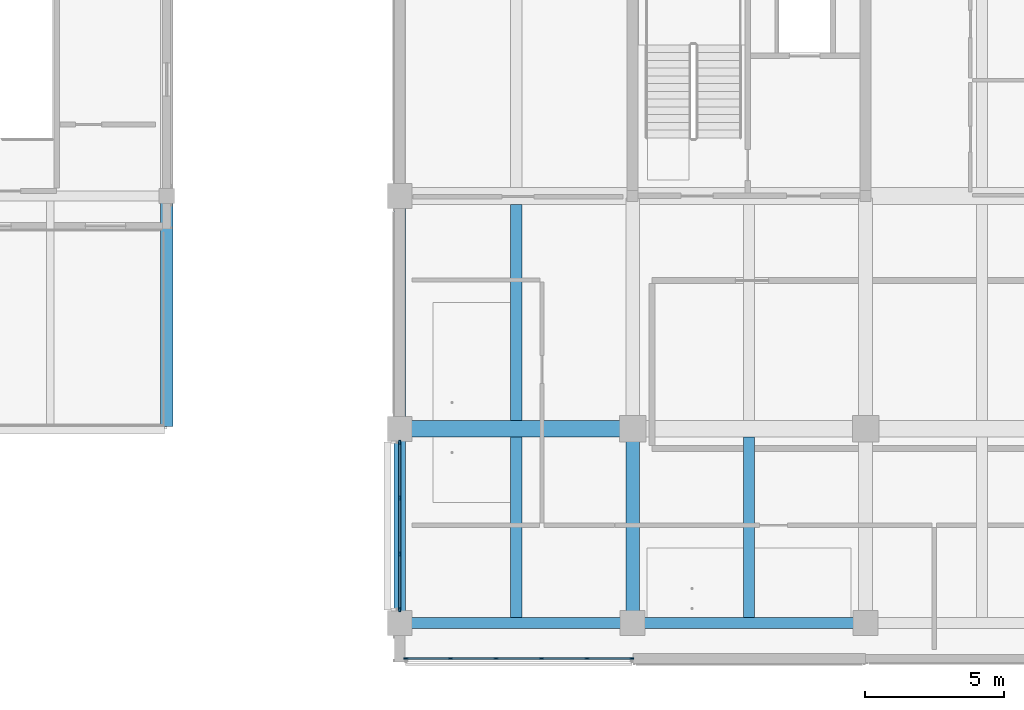
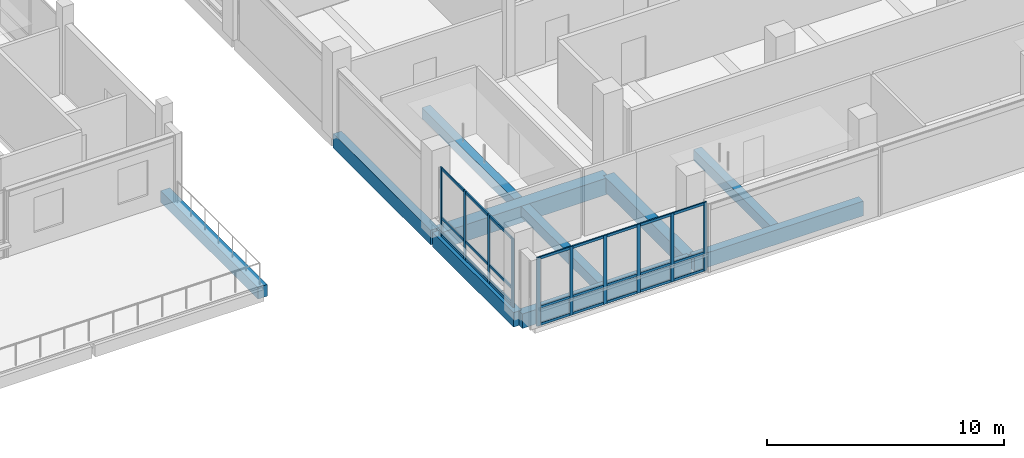
# One storey, part 5 of 59: 34 members, 10 beams, 2 elements without a shape of their own.
"""IFC4 building model written with IfcOpenShell, lengths in metres."""

from ifc_helpers import new_model, si_unit, direction, frame, origin, origin_2d, place, context, subcontext, project, spatial, rectangle, extrude, material, layer, layer_set, material_profile, profile_set, type_object, element, aggregate, save


model = new_model("IFC4")

# Units and contexts
model_context = context("Model", 3, precision=1e-05, world=origin(), true_north=direction((0.0, 1.0)))
body_context = subcontext(model_context, "Body", "Model", "MODEL_VIEW")
ifc_project = project(units=[si_unit("LENGTHUNIT", "METRE"), si_unit("AREAUNIT", "SQUARE_METRE"), si_unit("VOLUMEUNIT", "CUBIC_METRE"), si_unit("PLANEANGLEUNIT", "RADIAN"), si_unit("MASSUNIT", "GRAM", prefix="KILO")], contexts=[model_context])

# Site, building, storey
site_placement = place(None, origin())
site = spatial("IfcSite", under=ifc_project, at=site_placement, CompositionType="ELEMENT")
building_placement = place(site_placement, origin())
building = spatial("IfcBuilding", under=site, at=building_placement, Name="Telukmera Botanical Conservatory", CompositionType="ELEMENT")
storey_placement = place(building_placement, frame((0.0, 0.0, 15.0)))
storey = spatial("IfcBuildingStorey", under=building, at=storey_placement, Name="L03", CompositionType="ELEMENT", Elevation=15.0)

# Beams
ifc_material_1 = material(Name="Concrete C40/50", Category="concrete")
ifc_material_profile_1 = material_profile(ifc_material_1, rectangle(XDim=0.60009765625, YDim=0.85009765625, at=origin_2d()), Name="RC 600x850")
ifc_profile_set_1 = profile_set([ifc_material_profile_1], Name="Concrete C40/50")
beam_type_1 = type_object("IfcBeamType", Name="Beam_B11", PredefinedType="BEAM", material=ifc_profile_set_1)
beam_1_placement = place(storey_placement, frame((50.47998046875, 17.60009765625, -0.425048828125), z_axis=(1.0, 0.0, 0.0), x_axis=(0.0, 1.0, 0.0)))
element("IfcBeam", 1, at=beam_1_placement, inside=storey, type_object=beam_type_1, Name="Tower Grid Beam L03", PredefinedType="BEAM", context=body_context, shape_type="SweptSolid", body=[
    extrude(rectangle(XDim=0.60009765625, YDim=0.85009765625, at=origin_2d()), origin(), (0.0, 0.0, 1.0), 8.239990234375),
])
ifc_material_profile_2 = material_profile(ifc_material_1, rectangle(XDim=0.5, YDim=0.75, at=origin_2d()), Name="RC 500x750")
ifc_profile_set_2 = profile_set([ifc_material_profile_2], Name="Concrete C40/50")
beam_type_2 = type_object("IfcBeamType", Name="Beam_B13", PredefinedType="BEAM", material=ifc_profile_set_2)
beam_2_placement = place(storey_placement, frame((58.800048828125, 10.679931640625, -0.375), z_axis=(0.0, 1.0, 0.0), x_axis=(-1.0, 0.0, 0.0)))
element("IfcBeam", 2, at=beam_2_placement, inside=storey, type_object=beam_type_2, Name="Tower Transverse Beam L03", PredefinedType="BEAM", context=body_context, shape_type="SweptSolid", body=[
    extrude(rectangle(XDim=0.5, YDim=0.75, at=origin_2d()), origin(), (0.0, 0.0, 1.0), 6.840087890625),
])
ifc_material_profile_3 = material_profile(ifc_material_1, rectangle(XDim=0.449951171875, YDim=0.60009765625, at=origin_2d()), Name="RC 450x600")
ifc_profile_set_3 = profile_set([ifc_material_profile_3], Name="Concrete C40/50")
beam_type_3 = type_object("IfcBeamType", Name="Beam_B17", PredefinedType="BEAM", material=ifc_profile_set_3)
beam_3_placement = place(storey_placement, frame((42.0, 17.679931640625, -0.300048828125), z_axis=(0.0, 1.0, 0.0), x_axis=(-1.0, 0.0, 0.0)))
element("IfcBeam", 3, at=beam_3_placement, inside=storey, type_object=beam_type_3, Name="Visitor Wing Transverse Beam L03", PredefinedType="BEAM", context=body_context, shape_type="SweptSolid", body=[
    extrude(rectangle(XDim=0.449951171875, YDim=0.60009765625, at=origin_2d()), origin(), (0.0, 0.0, 1.0), 8.239990234375),
])
ifc_material_profile_4 = material_profile(ifc_material_1, rectangle(XDim=0.39990234375, YDim=0.550048828125, at=origin_2d()), Name="RC 400x550")
ifc_profile_set_4 = profile_set([ifc_material_profile_4], Name="Concrete C40/50")
beam_type_4 = type_object("IfcBeamType", Name="Beam_B19", PredefinedType="JOIST", material=ifc_profile_set_4)
beam_4_placement = place(storey_placement, frame((54.60009765625, 10.800048828125, -0.27490234375), z_axis=(0.0, 1.0, 0.0), x_axis=(-1.0, 0.0, 0.0)))
element("IfcBeam", 4, at=beam_4_placement, inside=storey, type_object=beam_type_4, Name="Tower Secondary Floor Joist L03", PredefinedType="JOIST", context=body_context, shape_type="SweptSolid", body=[
    extrude(rectangle(XDim=0.39990234375, YDim=0.550048828125, at=origin_2d()), origin(), (0.0, 0.0, 1.0), 6.5),
])
beam_5_placement = place(storey_placement, frame((54.60009765625, 17.89990234375, -0.27490234375), z_axis=(0.0, 1.0, 0.0), x_axis=(-1.0, 0.0, 0.0)))
element("IfcBeam", 5, at=beam_5_placement, inside=storey, type_object=beam_type_4, Name="Tower Secondary Floor Joist L03", PredefinedType="JOIST", context=body_context, shape_type="SweptSolid", body=[
    extrude(rectangle(XDim=0.39990234375, YDim=0.550048828125, at=origin_2d()), origin(), (0.0, 0.0, 1.0), 7.800048828125),
])
beam_6_placement = place(storey_placement, frame((63.0, 10.800048828125, -0.27490234375), z_axis=(0.0, 1.0, 0.0), x_axis=(-1.0, 0.0, 0.0)))
element("IfcBeam", 6, at=beam_6_placement, inside=storey, type_object=beam_type_4, Name="Tower Secondary Floor Joist L03", PredefinedType="JOIST", context=body_context, shape_type="SweptSolid", body=[
    extrude(rectangle(XDim=0.39990234375, YDim=0.550048828125, at=origin_2d()), origin(), (0.0, 0.0, 1.0), 6.5),
])
ifc_material_2 = material(Name="Precast concrete C40/50", Category="concrete")
ifc_material_profile_5 = material_profile(ifc_material_2, rectangle(XDim=0.39990234375, YDim=0.75, at=origin_2d()), Name="PC 400x750")
ifc_profile_set_5 = profile_set([ifc_material_profile_5], Name="Precast concrete C40/50")
beam_type_5 = type_object("IfcBeamType", Name="Beam_SP1", PredefinedType="SPANDREL", material=ifc_profile_set_5)
beam_7_placement = place(storey_placement, frame((50.47998046875, 10.60009765625, -0.375), z_axis=(1.0, 0.0, 0.0), x_axis=(0.0, 1.0, 0.0)))
element("IfcBeam", 7, at=beam_7_placement, inside=storey, type_object=beam_type_5, Name="Tower Grid Beam L03", PredefinedType="SPANDREL", context=body_context, shape_type="SweptSolid", body=[
    extrude(rectangle(XDim=0.39990234375, YDim=0.75, at=origin_2d()), origin(), (0.0, 0.0, 1.0), 8.239990234375),
])
beam_8_placement = place(storey_placement, frame((58.8798828125, 10.60009765625, -0.375), z_axis=(1.0, 0.0, 0.0), x_axis=(0.0, 1.0, 0.0)))
element("IfcBeam", 8, at=beam_8_placement, inside=storey, type_object=beam_type_5, Name="Tower Grid Beam L03", PredefinedType="SPANDREL", context=body_context, shape_type="SweptSolid", body=[
    extrude(rectangle(XDim=0.39990234375, YDim=0.75, at=origin_2d()), origin(), (0.0, 0.0, 1.0), 8.240234375),
])
beam_9_placement = place(storey_placement, frame((50.39990234375, 10.679931640625, -0.375), z_axis=(0.0, 1.0, 0.0), x_axis=(-1.0, 0.0, 0.0)))
element("IfcBeam", 9, at=beam_9_placement, inside=storey, type_object=beam_type_5, Name="Tower Transverse Beam L03", PredefinedType="SPANDREL", context=body_context, shape_type="SweptSolid", body=[
    extrude(rectangle(XDim=0.39990234375, YDim=0.75, at=origin_2d()), origin(), (0.0, 0.0, 1.0), 6.840087890625),
])
beam_10_placement = place(storey_placement, frame((50.39990234375, 17.679931640625, -0.375), z_axis=(0.0, 1.0, 0.0), x_axis=(-1.0, 0.0, 0.0)))
element("IfcBeam", 10, at=beam_10_placement, inside=storey, type_object=beam_type_5, Name="Tower Transverse Beam L03", PredefinedType="SPANDREL", context=body_context, shape_type="SweptSolid", body=[
    extrude(rectangle(XDim=0.39990234375, YDim=0.75, at=origin_2d()), origin(), (0.0, 0.0, 1.0), 8.239990234375),
])

# Curtain wall, members
ifc_material_3 = material(Name="Anodised aluminium 6063-T6", Category="aluminium")
ifc_layer = layer(ifc_material_3, 0.179931640625)
ifc_layer_set = layer_set([ifc_layer], Name="Anodised aluminium 6063-T6")
curtain_wall_type = type_object("IfcCurtainWallType", Name="Tower Herbarium Curation Corner Curtain Wall", PredefinedType="USERDEFINED", material=ifc_layer_set)
curtain_wall_1_placement = place(storey_placement, origin())
curtain_wall_1 = element("IfcCurtainWall", 11, at=curtain_wall_1_placement, inside=storey, type_object=curtain_wall_type, Name="Unitised Curtain Wall CW14 V4:L03:S1", ObjectType="UNITISED CURTAIN WALL", PredefinedType="USERDEFINED")
ifc_material_profile_6 = material_profile(ifc_material_3, rectangle(XDim=0.06494140625, YDim=0.159912109375, at=origin_2d()), Name="ALU MULL 65x160")
ifc_profile_set_6 = profile_set([ifc_material_profile_6], Name="Anodised aluminium 6063-T6")
member_type_1 = type_object("IfcMemberType", Name="Curtain Wall Extruded Mullion 65x160", PredefinedType="MULLION", material=ifc_profile_set_6)
member_1_placement = place(storey_placement, frame((50.62451171875, 9.320068359375, 0.0), z_axis=(0.0, 0.0, 1.0), x_axis=(0.0, 1.0, 0.0)))
member_1 = element("IfcMember", 12, at=member_1_placement, type_object=member_type_1, Name="CW14 mullion 1", PredefinedType="MULLION", context=body_context, shape_type="SweptSolid", body=[
    extrude(rectangle(XDim=0.06494140625, YDim=0.159912109375, at=origin_2d()), origin(), (0.0, 0.0, 1.0), 3.550048828125),
])
member_2_placement = place(storey_placement, frame((52.233154296875, 9.320068359375, 0.0), z_axis=(0.0, 0.0, 1.0), x_axis=(0.0, 1.0, 0.0)))
member_2 = element("IfcMember", 13, at=member_2_placement, type_object=member_type_1, Name="CW14 mullion 2", PredefinedType="MULLION", context=body_context, shape_type="SweptSolid", body=[
    extrude(rectangle(XDim=0.06494140625, YDim=0.159912109375, at=origin_2d()), origin(), (0.0, 0.0, 1.0), 3.550048828125),
])
member_3_placement = place(storey_placement, frame((53.87451171875, 9.320068359375, 0.0), z_axis=(0.0, 0.0, 1.0), x_axis=(0.0, 1.0, 0.0)))
member_3 = element("IfcMember", 14, at=member_3_placement, type_object=member_type_1, Name="CW14 mullion 3", PredefinedType="MULLION", context=body_context, shape_type="SweptSolid", body=[
    extrude(rectangle(XDim=0.06494140625, YDim=0.159912109375, at=origin_2d()), origin(), (0.0, 0.0, 1.0), 3.550048828125),
])
member_4_placement = place(storey_placement, frame((55.515625, 9.320068359375, 0.0), z_axis=(0.0, 0.0, 1.0), x_axis=(0.0, 1.0, 0.0)))
member_4 = element("IfcMember", 15, at=member_4_placement, type_object=member_type_1, Name="CW14 mullion 4", PredefinedType="MULLION", context=body_context, shape_type="SweptSolid", body=[
    extrude(rectangle(XDim=0.06494140625, YDim=0.159912109375, at=origin_2d()), origin(), (0.0, 0.0, 1.0), 3.550048828125),
])
member_5_placement = place(storey_placement, frame((57.15673828125, 9.320068359375, 0.0), z_axis=(0.0, 0.0, 1.0), x_axis=(0.0, 1.0, 0.0)))
member_5 = element("IfcMember", 16, at=member_5_placement, type_object=member_type_1, Name="CW14 mullion 5", PredefinedType="MULLION", context=body_context, shape_type="SweptSolid", body=[
    extrude(rectangle(XDim=0.06494140625, YDim=0.159912109375, at=origin_2d()), origin(), (0.0, 0.0, 1.0), 3.550048828125),
])
member_6_placement = place(storey_placement, frame((58.765380859375, 9.320068359375, 0.0), z_axis=(0.0, 0.0, 1.0), x_axis=(0.0, 1.0, 0.0)))
member_6 = element("IfcMember", 17, at=member_6_placement, type_object=member_type_1, Name="CW14 mullion 6", PredefinedType="MULLION", context=body_context, shape_type="SweptSolid", body=[
    extrude(rectangle(XDim=0.06494140625, YDim=0.159912109375, at=origin_2d()), origin(), (0.0, 0.0, 1.0), 3.550048828125),
])

curtain_wall_2_placement = place(storey_placement, origin())
curtain_wall_2 = element("IfcCurtainWall", 18, at=curtain_wall_2_placement, inside=storey, type_object=curtain_wall_type, Name="Unitised Curtain Wall CW14 V4:L03:W1", ObjectType="UNITISED CURTAIN WALL", PredefinedType="USERDEFINED")
member_7_placement = place(storey_placement, frame((50.39990234375, 11.08447265625, 0.0), z_axis=(0.0, 0.0, 1.0), x_axis=(-1.0, 0.0, 0.0)))
member_7 = element("IfcMember", 19, at=member_7_placement, type_object=member_type_1, Name="CW14 mullion 1", PredefinedType="MULLION", context=body_context, shape_type="SweptSolid", body=[
    extrude(rectangle(XDim=0.06494140625, YDim=0.159912109375, at=origin_2d()), origin(), (0.0, 0.0, 1.0), 3.550048828125),
])
member_8_placement = place(storey_placement, frame((50.39990234375, 13.083984375, 0.0), z_axis=(0.0, 0.0, 1.0), x_axis=(-1.0, 0.0, 0.0)))
member_8 = element("IfcMember", 20, at=member_8_placement, type_object=member_type_1, Name="CW14 mullion 2", PredefinedType="MULLION", context=body_context, shape_type="SweptSolid", body=[
    extrude(rectangle(XDim=0.06494140625, YDim=0.159912109375, at=origin_2d()), origin(), (0.0, 0.0, 1.0), 3.550048828125),
])
member_9_placement = place(storey_placement, frame((50.39990234375, 15.115966796875, 0.0), z_axis=(0.0, 0.0, 1.0), x_axis=(-1.0, 0.0, 0.0)))
member_9 = element("IfcMember", 21, at=member_9_placement, type_object=member_type_1, Name="CW14 mullion 3", PredefinedType="MULLION", context=body_context, shape_type="SweptSolid", body=[
    extrude(rectangle(XDim=0.06494140625, YDim=0.159912109375, at=origin_2d()), origin(), (0.0, 0.0, 1.0), 3.550048828125),
])
member_10_placement = place(storey_placement, frame((50.39990234375, 17.115478515625, 0.0), z_axis=(0.0, 0.0, 1.0), x_axis=(-1.0, 0.0, 0.0)))
member_10 = element("IfcMember", 22, at=member_10_placement, type_object=member_type_1, Name="CW14 mullion 4", PredefinedType="MULLION", context=body_context, shape_type="SweptSolid", body=[
    extrude(rectangle(XDim=0.06494140625, YDim=0.159912109375, at=origin_2d()), origin(), (0.0, 0.0, 1.0), 3.550048828125),
])

# Member
ifc_material_profile_7 = material_profile(ifc_material_3, rectangle(XDim=0.06494140625, YDim=0.1298828125, at=origin_2d()), Name="ALU TRAN 65x130")
ifc_profile_set_7 = profile_set([ifc_material_profile_7], Name="Anodised aluminium 6063-T6")
member_type_2 = type_object("IfcMemberType", Name="Curtain Wall Extruded Transom 65x130", PredefinedType="USERDEFINED", material=ifc_profile_set_7)
member_11_placement = place(storey_placement, frame((50.656982421875, 9.320068359375, 0.06494140625), z_axis=(1.0, 0.0, 0.0), x_axis=(0.0, 1.0, 0.0)))
member_11 = element("IfcMember", 23, at=member_11_placement, type_object=member_type_2, Name="CW14 transom 1.1", ObjectType="TRANSOM", PredefinedType="USERDEFINED", context=body_context, shape_type="SweptSolid", body=[
    extrude(rectangle(XDim=0.06494140625, YDim=0.1298828125, at=origin_2d()), origin(), (0.0, 0.0, 1.0), 1.543701171875),
])

member_12_placement = place(storey_placement, frame((50.656982421875, 9.320068359375, 0.949951171875), z_axis=(1.0, 0.0, 0.0), x_axis=(0.0, 1.0, 0.0)))
member_12 = element("IfcMember", 24, at=member_12_placement, type_object=member_type_2, Name="CW14 transom 1.2", ObjectType="TRANSOM", PredefinedType="USERDEFINED", context=body_context, shape_type="SweptSolid", body=[
    extrude(rectangle(XDim=0.06494140625, YDim=0.1298828125, at=origin_2d()), origin(), (0.0, 0.0, 1.0), 1.543701171875),
])

member_13_placement = place(storey_placement, frame((50.656982421875, 9.320068359375, 3.485107421875), z_axis=(1.0, 0.0, 0.0), x_axis=(0.0, 1.0, 0.0)))
member_13 = element("IfcMember", 25, at=member_13_placement, type_object=member_type_2, Name="CW14 transom 1.3", ObjectType="TRANSOM", PredefinedType="USERDEFINED", context=body_context, shape_type="SweptSolid", body=[
    extrude(rectangle(XDim=0.06494140625, YDim=0.1298828125, at=origin_2d()), origin(), (0.0, 0.0, 1.0), 1.543701171875),
])

member_14_placement = place(storey_placement, frame((52.265625, 9.320068359375, 0.06494140625), z_axis=(1.0, 0.0, 0.0), x_axis=(0.0, 1.0, 0.0)))
member_14 = element("IfcMember", 26, at=member_14_placement, type_object=member_type_2, Name="CW14 transom 2.1", ObjectType="TRANSOM", PredefinedType="USERDEFINED", context=body_context, shape_type="SweptSolid", body=[
    extrude(rectangle(XDim=0.06494140625, YDim=0.1298828125, at=origin_2d()), origin(), (0.0, 0.0, 1.0), 1.576171875),
])

member_15_placement = place(storey_placement, frame((52.265625, 9.320068359375, 0.949951171875), z_axis=(1.0, 0.0, 0.0), x_axis=(0.0, 1.0, 0.0)))
member_15 = element("IfcMember", 27, at=member_15_placement, type_object=member_type_2, Name="CW14 transom 2.2", ObjectType="TRANSOM", PredefinedType="USERDEFINED", context=body_context, shape_type="SweptSolid", body=[
    extrude(rectangle(XDim=0.06494140625, YDim=0.1298828125, at=origin_2d()), origin(), (0.0, 0.0, 1.0), 1.576171875),
])

member_16_placement = place(storey_placement, frame((52.265625, 9.320068359375, 3.485107421875), z_axis=(1.0, 0.0, 0.0), x_axis=(0.0, 1.0, 0.0)))
member_16 = element("IfcMember", 28, at=member_16_placement, type_object=member_type_2, Name="CW14 transom 2.3", ObjectType="TRANSOM", PredefinedType="USERDEFINED", context=body_context, shape_type="SweptSolid", body=[
    extrude(rectangle(XDim=0.06494140625, YDim=0.1298828125, at=origin_2d()), origin(), (0.0, 0.0, 1.0), 1.576171875),
])

member_17_placement = place(storey_placement, frame((53.906982421875, 9.320068359375, 0.06494140625), z_axis=(1.0, 0.0, 0.0), x_axis=(0.0, 1.0, 0.0)))
member_17 = element("IfcMember", 29, at=member_17_placement, type_object=member_type_2, Name="CW14 transom 3.1", ObjectType="TRANSOM", PredefinedType="USERDEFINED", context=body_context, shape_type="SweptSolid", body=[
    extrude(rectangle(XDim=0.06494140625, YDim=0.1298828125, at=origin_2d()), origin(), (0.0, 0.0, 1.0), 1.576171875),
])

member_18_placement = place(storey_placement, frame((53.906982421875, 9.320068359375, 0.949951171875), z_axis=(1.0, 0.0, 0.0), x_axis=(0.0, 1.0, 0.0)))
member_18 = element("IfcMember", 30, at=member_18_placement, type_object=member_type_2, Name="CW14 transom 3.2", ObjectType="TRANSOM", PredefinedType="USERDEFINED", context=body_context, shape_type="SweptSolid", body=[
    extrude(rectangle(XDim=0.06494140625, YDim=0.1298828125, at=origin_2d()), origin(), (0.0, 0.0, 1.0), 1.576171875),
])

member_19_placement = place(storey_placement, frame((53.906982421875, 9.320068359375, 3.485107421875), z_axis=(1.0, 0.0, 0.0), x_axis=(0.0, 1.0, 0.0)))
member_19 = element("IfcMember", 31, at=member_19_placement, type_object=member_type_2, Name="CW14 transom 3.3", ObjectType="TRANSOM", PredefinedType="USERDEFINED", context=body_context, shape_type="SweptSolid", body=[
    extrude(rectangle(XDim=0.06494140625, YDim=0.1298828125, at=origin_2d()), origin(), (0.0, 0.0, 1.0), 1.576171875),
])

member_20_placement = place(storey_placement, frame((55.548095703125, 9.320068359375, 0.06494140625), z_axis=(1.0, 0.0, 0.0), x_axis=(0.0, 1.0, 0.0)))
member_20 = element("IfcMember", 32, at=member_20_placement, type_object=member_type_2, Name="CW14 transom 4.1", ObjectType="TRANSOM", PredefinedType="USERDEFINED", context=body_context, shape_type="SweptSolid", body=[
    extrude(rectangle(XDim=0.06494140625, YDim=0.1298828125, at=origin_2d()), origin(), (0.0, 0.0, 1.0), 1.576171875),
])

member_21_placement = place(storey_placement, frame((55.548095703125, 9.320068359375, 0.949951171875), z_axis=(1.0, 0.0, 0.0), x_axis=(0.0, 1.0, 0.0)))
member_21 = element("IfcMember", 33, at=member_21_placement, type_object=member_type_2, Name="CW14 transom 4.2", ObjectType="TRANSOM", PredefinedType="USERDEFINED", context=body_context, shape_type="SweptSolid", body=[
    extrude(rectangle(XDim=0.06494140625, YDim=0.1298828125, at=origin_2d()), origin(), (0.0, 0.0, 1.0), 1.576171875),
])

member_22_placement = place(storey_placement, frame((55.548095703125, 9.320068359375, 3.485107421875), z_axis=(1.0, 0.0, 0.0), x_axis=(0.0, 1.0, 0.0)))
member_22 = element("IfcMember", 34, at=member_22_placement, type_object=member_type_2, Name="CW14 transom 4.3", ObjectType="TRANSOM", PredefinedType="USERDEFINED", context=body_context, shape_type="SweptSolid", body=[
    extrude(rectangle(XDim=0.06494140625, YDim=0.1298828125, at=origin_2d()), origin(), (0.0, 0.0, 1.0), 1.576171875),
])

member_23_placement = place(storey_placement, frame((57.189208984375, 9.320068359375, 0.06494140625), z_axis=(1.0, 0.0, 0.0), x_axis=(0.0, 1.0, 0.0)))
member_23 = element("IfcMember", 35, at=member_23_placement, type_object=member_type_2, Name="CW14 transom 5.1", ObjectType="TRANSOM", PredefinedType="USERDEFINED", context=body_context, shape_type="SweptSolid", body=[
    extrude(rectangle(XDim=0.06494140625, YDim=0.1298828125, at=origin_2d()), origin(), (0.0, 0.0, 1.0), 1.543701171875),
])

member_24_placement = place(storey_placement, frame((57.189208984375, 9.320068359375, 0.949951171875), z_axis=(1.0, 0.0, 0.0), x_axis=(0.0, 1.0, 0.0)))
member_24 = element("IfcMember", 36, at=member_24_placement, type_object=member_type_2, Name="CW14 transom 5.2", ObjectType="TRANSOM", PredefinedType="USERDEFINED", context=body_context, shape_type="SweptSolid", body=[
    extrude(rectangle(XDim=0.06494140625, YDim=0.1298828125, at=origin_2d()), origin(), (0.0, 0.0, 1.0), 1.543701171875),
])

member_25_placement = place(storey_placement, frame((57.189208984375, 9.320068359375, 3.485107421875), z_axis=(1.0, 0.0, 0.0), x_axis=(0.0, 1.0, 0.0)))
member_25 = element("IfcMember", 37, at=member_25_placement, type_object=member_type_2, Name="CW14 transom 5.3", ObjectType="TRANSOM", PredefinedType="USERDEFINED", context=body_context, shape_type="SweptSolid", body=[
    extrude(rectangle(XDim=0.06494140625, YDim=0.1298828125, at=origin_2d()), origin(), (0.0, 0.0, 1.0), 1.543701171875),
])

aggregate(curtain_wall_1, [member_1, member_2, member_3, member_4, member_5, member_6, member_11, member_12, member_13, member_14, member_15, member_16, member_17, member_18, member_19, member_20, member_21, member_22, member_23, member_24, member_25])

member_26_placement = place(storey_placement, frame((50.39990234375, 11.116943359375, 0.06494140625), z_axis=(0.0, 1.0, 0.0), x_axis=(-1.0, 0.0, 0.0)))
member_26 = element("IfcMember", 38, at=member_26_placement, type_object=member_type_2, Name="CW14 transom 1.1", ObjectType="TRANSOM", PredefinedType="USERDEFINED", context=body_context, shape_type="SweptSolid", body=[
    extrude(rectangle(XDim=0.06494140625, YDim=0.1298828125, at=origin_2d()), origin(), (0.0, 0.0, 1.0), 1.9345703125),
])

member_27_placement = place(storey_placement, frame((50.39990234375, 11.116943359375, 0.949951171875), z_axis=(0.0, 1.0, 0.0), x_axis=(-1.0, 0.0, 0.0)))
member_27 = element("IfcMember", 39, at=member_27_placement, type_object=member_type_2, Name="CW14 transom 1.2", ObjectType="TRANSOM", PredefinedType="USERDEFINED", context=body_context, shape_type="SweptSolid", body=[
    extrude(rectangle(XDim=0.06494140625, YDim=0.1298828125, at=origin_2d()), origin(), (0.0, 0.0, 1.0), 1.9345703125),
])

member_28_placement = place(storey_placement, frame((50.39990234375, 11.116943359375, 3.485107421875), z_axis=(0.0, 1.0, 0.0), x_axis=(-1.0, 0.0, 0.0)))
member_28 = element("IfcMember", 40, at=member_28_placement, type_object=member_type_2, Name="CW14 transom 1.3", ObjectType="TRANSOM", PredefinedType="USERDEFINED", context=body_context, shape_type="SweptSolid", body=[
    extrude(rectangle(XDim=0.06494140625, YDim=0.1298828125, at=origin_2d()), origin(), (0.0, 0.0, 1.0), 1.9345703125),
])

member_29_placement = place(storey_placement, frame((50.39990234375, 13.116455078125, 0.06494140625), z_axis=(0.0, 1.0, 0.0), x_axis=(-1.0, 0.0, 0.0)))
member_29 = element("IfcMember", 41, at=member_29_placement, type_object=member_type_2, Name="CW14 transom 2.1", ObjectType="TRANSOM", PredefinedType="USERDEFINED", context=body_context, shape_type="SweptSolid", body=[
    extrude(rectangle(XDim=0.06494140625, YDim=0.1298828125, at=origin_2d()), origin(), (0.0, 0.0, 1.0), 1.967041015625),
])

member_30_placement = place(storey_placement, frame((50.39990234375, 13.116455078125, 0.949951171875), z_axis=(0.0, 1.0, 0.0), x_axis=(-1.0, 0.0, 0.0)))
member_30 = element("IfcMember", 42, at=member_30_placement, type_object=member_type_2, Name="CW14 transom 2.2", ObjectType="TRANSOM", PredefinedType="USERDEFINED", context=body_context, shape_type="SweptSolid", body=[
    extrude(rectangle(XDim=0.06494140625, YDim=0.1298828125, at=origin_2d()), origin(), (0.0, 0.0, 1.0), 1.967041015625),
])

member_31_placement = place(storey_placement, frame((50.39990234375, 13.116455078125, 3.485107421875), z_axis=(0.0, 1.0, 0.0), x_axis=(-1.0, 0.0, 0.0)))
member_31 = element("IfcMember", 43, at=member_31_placement, type_object=member_type_2, Name="CW14 transom 2.3", ObjectType="TRANSOM", PredefinedType="USERDEFINED", context=body_context, shape_type="SweptSolid", body=[
    extrude(rectangle(XDim=0.06494140625, YDim=0.1298828125, at=origin_2d()), origin(), (0.0, 0.0, 1.0), 1.967041015625),
])

member_32_placement = place(storey_placement, frame((50.39990234375, 15.1484375, 0.06494140625), z_axis=(0.0, 1.0, 0.0), x_axis=(-1.0, 0.0, 0.0)))
member_32 = element("IfcMember", 44, at=member_32_placement, type_object=member_type_2, Name="CW14 transom 3.1", ObjectType="TRANSOM", PredefinedType="USERDEFINED", context=body_context, shape_type="SweptSolid", body=[
    extrude(rectangle(XDim=0.06494140625, YDim=0.1298828125, at=origin_2d()), origin(), (0.0, 0.0, 1.0), 1.9345703125),
])

member_33_placement = place(storey_placement, frame((50.39990234375, 15.1484375, 0.949951171875), z_axis=(0.0, 1.0, 0.0), x_axis=(-1.0, 0.0, 0.0)))
member_33 = element("IfcMember", 45, at=member_33_placement, type_object=member_type_2, Name="CW14 transom 3.2", ObjectType="TRANSOM", PredefinedType="USERDEFINED", context=body_context, shape_type="SweptSolid", body=[
    extrude(rectangle(XDim=0.06494140625, YDim=0.1298828125, at=origin_2d()), origin(), (0.0, 0.0, 1.0), 1.9345703125),
])

member_34_placement = place(storey_placement, frame((50.39990234375, 15.1484375, 3.485107421875), z_axis=(0.0, 1.0, 0.0), x_axis=(-1.0, 0.0, 0.0)))
member_34 = element("IfcMember", 46, at=member_34_placement, type_object=member_type_2, Name="CW14 transom 3.3", ObjectType="TRANSOM", PredefinedType="USERDEFINED", context=body_context, shape_type="SweptSolid", body=[
    extrude(rectangle(XDim=0.06494140625, YDim=0.1298828125, at=origin_2d()), origin(), (0.0, 0.0, 1.0), 1.9345703125),
])

aggregate(curtain_wall_2, [member_7, member_8, member_9, member_10, member_26, member_27, member_28, member_29, member_30, member_31, member_32, member_33, member_34])

save(model, "model.ifc")
